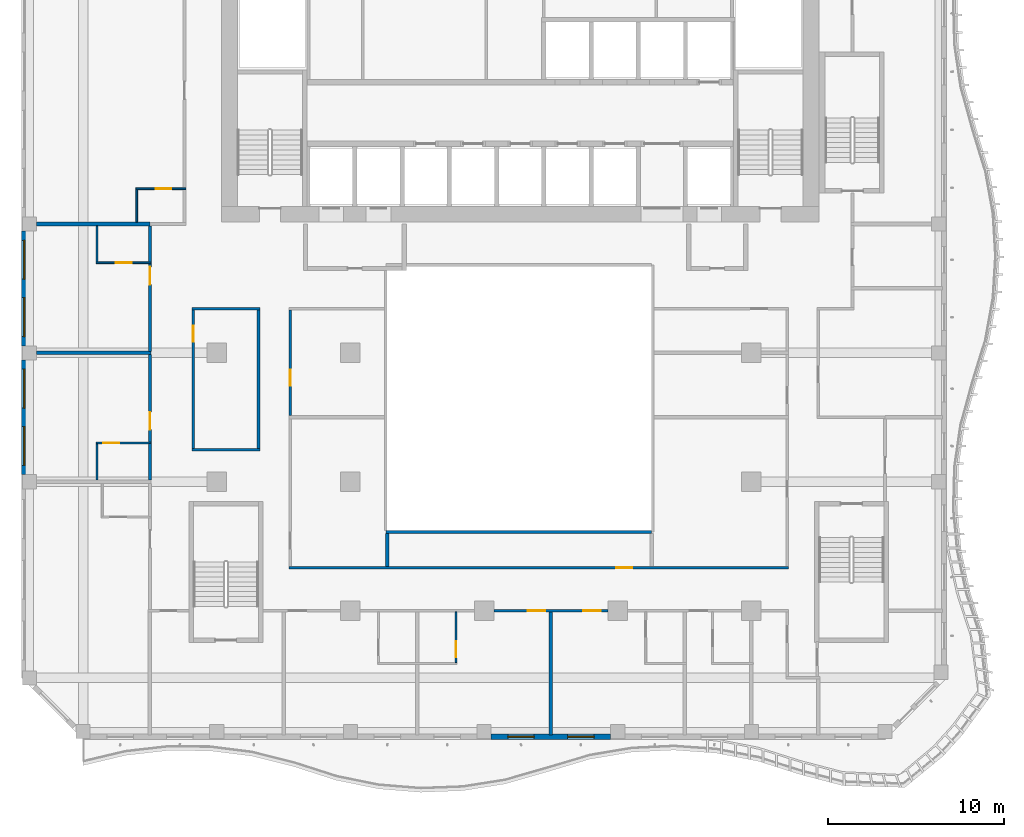
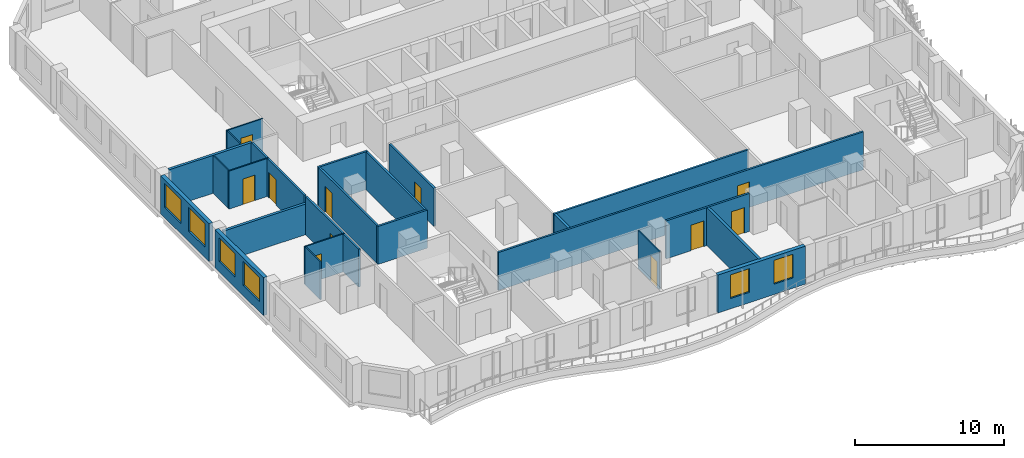
# One storey, part 3 of 22: 26 walls, 11 doors, 6 windows, 17 openings.
"""IFC4 building model written with IfcOpenShell, lengths in metres."""

from ifc_helpers import new_model, si_unit, direction, frame, frame_2d, origin, place, context, subcontext, project, spatial, rectangle, extrude, source, transform, mapped, material, layer, layer_set, type_object, element, fill, save


model = new_model("IFC4")

# Units and contexts
model_context = context("Model", 3, precision=1e-05, world=origin(), true_north=direction((0.0, 1.0)))
body_context = subcontext(model_context, "Body", "Model", "MODEL_VIEW")
ifc_project = project(units=[si_unit("LENGTHUNIT", "METRE"), si_unit("AREAUNIT", "SQUARE_METRE"), si_unit("VOLUMEUNIT", "CUBIC_METRE"), si_unit("PLANEANGLEUNIT", "RADIAN"), si_unit("MASSUNIT", "GRAM", prefix="KILO")], contexts=[model_context])

# Site, building, storey
site_placement = place(None, origin())
site = spatial("IfcSite", under=ifc_project, at=site_placement, CompositionType="ELEMENT")
building_placement = place(site_placement, origin())
building = spatial("IfcBuilding", under=site, at=building_placement, Name="Kilnfold Tower and Market Hall", CompositionType="ELEMENT")
storey_placement = place(building_placement, frame((0.0, 0.0, 154.10009765625)))
storey = spatial("IfcBuildingStorey", under=building, at=storey_placement, Name="L35", CompositionType="ELEMENT", Elevation=154.10009765625)

# Wall
ifc_material_1 = material(Name="Fire-resisting glazed screen")
ifc_layer_1 = layer(ifc_material_1, 0.14990234375)
ifc_layer_set_1 = layer_set([ifc_layer_1], Name="Fire-resisting glazed screen")
wall_type_1 = type_object("IfcWallType", Name="WALL ATRIUM 150", PredefinedType="PARTITIONING", material=ifc_layer_set_1)
wall_1_placement = place(storey_placement, frame((8.5, -9.47509765625, 0.0), z_axis=(0.0, 0.0, 1.0), x_axis=(-1.0, 0.0, 0.0)))
element("IfcWall", 1, at=wall_1_placement, inside=storey, type_object=wall_type_1, Name="Partition LY23.107", PredefinedType="PARTITIONING", context=body_context, shape_type="SweptSolid", body=[
    extrude(rectangle(XDim=15.074951171875, YDim=0.14990234375, at=frame_2d((7.53759765625, 0.0))), origin(), (0.0, 0.0, 1.0), 3.119873046875),
])

# Wall, openings, doors
ifc_material_2 = material(Name="Gypsum board on steel studs", Category="steel")
ifc_layer_2 = layer(ifc_material_2, 0.14990234375)
ifc_layer_set_2 = layer_set([ifc_layer_2], Name="Gypsum board on steel studs")
wall_type_2 = type_object("IfcWallType", Name="WALL CORRIDOR 150", PredefinedType="PARTITIONING", material=ifc_layer_set_2)
wall_2_placement = place(storey_placement, frame((-0.449951171875, -13.93798828125, 0.0), z_axis=(0.0, 0.0, 1.0), x_axis=(1.0, 0.0, 0.0)))
wall_2 = element("IfcWall", 2, at=wall_2_placement, inside=storey, type_object=wall_type_2, Name="Partition LY23.4", PredefinedType="PARTITIONING", context=body_context, shape_type="SweptSolid", body=[
    extrude(rectangle(XDim=6.48291015625, YDim=0.14990234375, at=frame_2d((3.241455078125, 0.0))), origin(), (0.0, 0.0, 1.0), 3.119873046875),
])
opening_1_placement = place(wall_2_placement, frame((1.919921875, 0.0, 0.0)))
opening_1 = element("IfcOpeningElement", 3, at=opening_1_placement, cuts=wall_2, Name="Opening D1", PredefinedType="OPENING", context=body_context, shape_type="SweptSolid", body=[
    extrude(rectangle(XDim=1.0, YDim=2.10009765625, at=frame_2d((0.5, 1.050048828125))), frame((0.0, 0.0849609375, 0.0), z_axis=(0.0, -1.0, 0.0), x_axis=(1.0, 0.0, 0.0)), (0.0, 0.0, 1.0), 0.169921875),
])
opening_2_placement = place(wall_2_placement, frame((5.0810546875, 0.0, 0.0)))
opening_2 = element("IfcOpeningElement", 4, at=opening_2_placement, cuts=wall_2, Name="Opening D1", PredefinedType="OPENING", context=body_context, shape_type="SweptSolid", body=[
    extrude(rectangle(XDim=1.0, YDim=2.10009765625, at=frame_2d((0.5, 1.050048828125))), frame((0.0, 0.0849609375, 0.0), z_axis=(0.0, -1.0, 0.0), x_axis=(1.0, 0.0, 0.0)), (0.0, 0.0, 1.0), 0.169921875),
])
ifc_material_3 = material(Name="Timber veneer door leaf in steel frame", Category="steel")
door_type_1 = type_object("IfcDoorType", Name="DOOR ENTRY 1000 X2100", OperationType="NOTDEFINED", PredefinedType="DOOR", material=ifc_material_3)
door_1_placement = place(opening_1_placement, origin())
door_1 = element("IfcDoor", 5, at=door_1_placement, inside=storey, type_object=door_type_1, Name="Door D1", OperationType="SINGLE_SWING_RIGHT", OverallHeight=2.10009765625, OverallWidth=1.0, PredefinedType="DOOR", context=body_context, shape_type="SweptSolid", body=[
    extrude(rectangle(XDim=1.0, YDim=2.10009765625, at=frame_2d((0.5, 1.050048828125))), frame((0.0, 0.02490234375, 0.0), z_axis=(0.0, -1.0, 0.0), x_axis=(1.0, 0.0, 0.0)), (0.0, 0.0, 1.0), 0.050048828125),
])
fill(opening_1, door_1)
door_2_placement = place(opening_2_placement, origin())
door_2 = element("IfcDoor", 6, at=door_2_placement, inside=storey, type_object=door_type_1, Name="Door D1", OperationType="SINGLE_SWING_RIGHT", OverallHeight=2.10009765625, OverallWidth=1.0, PredefinedType="DOOR", context=body_context, shape_type="SweptSolid", body=[
    extrude(rectangle(XDim=1.0, YDim=2.10009765625, at=frame_2d((0.5, 1.050048828125))), frame((0.0, 0.02490234375, 0.0), z_axis=(0.0, -1.0, 0.0), x_axis=(1.0, 0.0, 0.0)), (0.0, 0.0, 1.0), 0.050048828125),
])
fill(opening_2, door_2)

# Wall, opening, door
wall_3_placement = place(storey_placement, frame((-19.958984375, -4.385009765625, 0.0), z_axis=(0.0, 0.0, 1.0), x_axis=(0.0, 1.0, 0.0)))
wall_3 = element("IfcWall", 7, at=wall_3_placement, inside=storey, type_object=wall_type_2, Name="Partition LY23.12", PredefinedType="PARTITIONING", context=body_context, shape_type="SweptSolid", body=[
    extrude(rectangle(XDim=4.98291015625, YDim=0.14990234375, at=frame_2d((2.491455078125, 0.0))), origin(), (0.0, 0.0, 1.0), 3.119873046875),
])
opening_3_placement = place(wall_3_placement, frame((0.7119140625, 0.0, 0.0)))
opening_3 = element("IfcOpeningElement", 8, at=opening_3_placement, cuts=wall_3, Name="Opening D1", PredefinedType="OPENING", context=body_context, shape_type="SweptSolid", body=[
    extrude(rectangle(XDim=1.0, YDim=2.10009765625, at=frame_2d((0.5, 1.050048828125))), frame((0.0, 0.0849609375, 0.0), z_axis=(0.0, -1.0, 0.0), x_axis=(1.0, 0.0, 0.0)), (0.0, 0.0, 1.0), 0.169921875),
])
door_3_placement = place(opening_3_placement, origin())
door_3 = element("IfcDoor", 9, at=door_3_placement, inside=storey, type_object=door_type_1, Name="Door D1", OperationType="SINGLE_SWING_LEFT", OverallHeight=2.10009765625, OverallWidth=1.0, PredefinedType="DOOR", context=body_context, shape_type="SweptSolid", body=[
    extrude(rectangle(XDim=1.0, YDim=2.10009765625, at=frame_2d((0.5, 1.050048828125))), frame((0.0, 0.02490234375, 0.0), z_axis=(0.0, -1.0, 0.0), x_axis=(1.0, 0.0, 0.0)), (0.0, 0.0, 1.0), 0.050048828125),
])
fill(opening_3, door_3)

# Wall
wall_4_placement = place(storey_placement, frame((-19.958984375, -6.534912109375, 0.0), z_axis=(0.0, 0.0, 1.0), x_axis=(0.0, 1.0, 0.0)))
element("IfcWall", 10, at=wall_4_placement, inside=storey, type_object=wall_type_2, Name="Partition LY23.13", PredefinedType="PARTITIONING", context=body_context, shape_type="SweptSolid", body=[
    extrude(rectangle(XDim=2.06982421875, YDim=0.14990234375, at=frame_2d((1.034912109375, 0.0))), origin(), (0.0, 0.0, 1.0), 3.119873046875),
])

# Wall, opening, door
wall_5_placement = place(storey_placement, frame((-19.958984375, 0.778076171875, 0.0), z_axis=(0.0, 0.0, 1.0), x_axis=(0.0, 1.0, 0.0)))
wall_5 = element("IfcWall", 11, at=wall_5_placement, inside=storey, type_object=wall_type_2, Name="Partition LY23.14", PredefinedType="PARTITIONING", context=body_context, shape_type="SweptSolid", body=[
    extrude(rectangle(XDim=4.98193359375, YDim=0.14990234375, at=frame_2d((2.490966796875, 0.0))), origin(), (0.0, 0.0, 1.0), 3.119873046875),
])
opening_4_placement = place(wall_5_placement, frame((3.781982421875, 0.0, 0.0)))
opening_4 = element("IfcOpeningElement", 12, at=opening_4_placement, cuts=wall_5, Name="Opening D1", PredefinedType="OPENING", context=body_context, shape_type="SweptSolid", body=[
    extrude(rectangle(XDim=1.0, YDim=2.10009765625, at=frame_2d((0.5, 1.050048828125))), frame((0.0, 0.0849609375, 0.0), z_axis=(0.0, -1.0, 0.0), x_axis=(1.0, 0.0, 0.0)), (0.0, 0.0, 1.0), 0.169921875),
])
door_4_placement = place(opening_4_placement, origin())
door_4 = element("IfcDoor", 13, at=door_4_placement, inside=storey, type_object=door_type_1, Name="Door D1", OperationType="SINGLE_SWING_LEFT", OverallHeight=2.10009765625, OverallWidth=1.0, PredefinedType="DOOR", context=body_context, shape_type="SweptSolid", body=[
    extrude(rectangle(XDim=1.0, YDim=2.10009765625, at=frame_2d((0.5, 1.050048828125))), frame((0.0, 0.02490234375, 0.0), z_axis=(0.0, -1.0, 0.0), x_axis=(1.0, 0.0, 0.0)), (0.0, 0.0, 1.0), 0.050048828125),
])
fill(opening_4, door_4)

# Wall
wall_6_placement = place(storey_placement, frame((-19.958984375, 5.840087890625, 0.0), z_axis=(0.0, 0.0, 1.0), x_axis=(0.0, 1.0, 0.0)))
element("IfcWall", 14, at=wall_6_placement, inside=storey, type_object=wall_type_2, Name="Partition LY23.15", PredefinedType="PARTITIONING", context=body_context, shape_type="SweptSolid", body=[
    extrude(rectangle(XDim=2.059814453125, YDim=0.14990234375, at=frame_2d((1.02978515625, 0.0))), origin(), (0.0, 0.0, 1.0), 3.119873046875),
])

# Wall, opening, door
wall_7_placement = place(storey_placement, frame((-12.074951171875, -11.5, 0.0), z_axis=(0.0, 0.0, 1.0), x_axis=(1.0, 0.0, 0.0)))
wall_7 = element("IfcWall", 15, at=wall_7_placement, inside=storey, type_object=wall_type_2, Name="Partition LY23.33", PredefinedType="PARTITIONING", context=body_context, shape_type="SweptSolid", body=[
    extrude(rectangle(XDim=28.349853515625, YDim=0.14990234375, at=frame_2d((14.1748046875, 0.0))), origin(), (0.0, 0.0, 1.0), 3.119873046875),
])
opening_5_placement = place(wall_7_placement, frame((18.583984375, 0.0, 0.0)))
opening_5 = element("IfcOpeningElement", 16, at=opening_5_placement, cuts=wall_7, Name="Opening D2", PredefinedType="OPENING", context=body_context, shape_type="SweptSolid", body=[
    extrude(rectangle(XDim=0.89990234375, YDim=2.10009765625, at=frame_2d((0.449951171875, 1.050048828125))), frame((0.0, 0.0849609375, 0.0), z_axis=(0.0, -1.0, 0.0), x_axis=(1.0, 0.0, 0.0)), (0.0, 0.0, 1.0), 0.169921875),
])
ifc_material_4 = material(Name="Timber veneer door leaf in steel frame", Category="steel")
door_type_2 = type_object("IfcDoorType", Name="DOOR ROOM 900 X2100", OperationType="NOTDEFINED", PredefinedType="DOOR", material=ifc_material_4)
door_5_placement = place(opening_5_placement, origin())
door_5 = element("IfcDoor", 17, at=door_5_placement, inside=storey, type_object=door_type_2, Name="Door D2", OperationType="SINGLE_SWING_RIGHT", OverallHeight=2.10009765625, OverallWidth=0.89990234375, PredefinedType="DOOR", context=body_context, shape_type="SweptSolid", body=[
    extrude(rectangle(XDim=0.89990234375, YDim=2.10009765625, at=frame_2d((0.449951171875, 1.050048828125))), frame((0.0, 0.02490234375, 0.0), z_axis=(0.0, -1.0, 0.0), x_axis=(1.0, 0.0, 0.0)), (0.0, 0.0, 1.0), 0.050048828125),
])
fill(opening_5, door_5)

wall_8_placement = place(storey_placement, frame((-12.0, -2.87890625, 0.0), z_axis=(0.0, 0.0, 1.0), x_axis=(0.0, 1.0, 0.0)))
wall_8 = element("IfcWall", 18, at=wall_8_placement, inside=storey, type_object=wall_type_2, Name="Partition LY23.35", PredefinedType="PARTITIONING", context=body_context, shape_type="SweptSolid", body=[
    extrude(rectangle(XDim=6.00390625, YDim=0.14990234375, at=frame_2d((3.001953125, 0.0))), origin(), (0.0, 0.0, 1.0), 3.119873046875),
])
opening_6_placement = place(wall_8_placement, frame((1.700927734375, 0.0, 0.0)))
opening_6 = element("IfcOpeningElement", 19, at=opening_6_placement, cuts=wall_8, Name="Opening D2", PredefinedType="OPENING", context=body_context, shape_type="SweptSolid", body=[
    extrude(rectangle(XDim=0.89990234375, YDim=2.10009765625, at=frame_2d((0.449951171875, 1.050048828125))), frame((0.0, 0.0849609375, 0.0), z_axis=(0.0, -1.0, 0.0), x_axis=(1.0, 0.0, 0.0)), (0.0, 0.0, 1.0), 0.169921875),
])
door_6_placement = place(opening_6_placement, origin())
door_6 = element("IfcDoor", 20, at=door_6_placement, inside=storey, type_object=door_type_2, Name="Door D2", OperationType="SINGLE_SWING_RIGHT", OverallHeight=2.10009765625, OverallWidth=0.89990234375, PredefinedType="DOOR", context=body_context, shape_type="SweptSolid", body=[
    extrude(rectangle(XDim=0.89990234375, YDim=2.10009765625, at=frame_2d((0.449951171875, 1.050048828125))), frame((0.0, 0.02490234375, 0.0), z_axis=(0.0, -1.0, 0.0), x_axis=(1.0, 0.0, 0.0)), (0.0, 0.0, 1.0), 0.050048828125),
])
fill(opening_6, door_6)

# Wall
wall_9_placement = place(storey_placement, frame((-17.574951171875, 3.199951171875, 0.0), z_axis=(0.0, 0.0, 1.0), x_axis=(1.0, 0.0, 0.0)))
element("IfcWall", 21, at=wall_9_placement, inside=storey, type_object=wall_type_2, Name="Partition LY23.36", PredefinedType="PARTITIONING", context=body_context, shape_type="SweptSolid", body=[
    extrude(rectangle(XDim=3.849853515625, YDim=0.14990234375, at=frame_2d((1.9248046875, 0.0))), origin(), (0.0, 0.0, 1.0), 3.119873046875),
])

# Wall, opening, door
wall_10_placement = place(storey_placement, frame((-17.5, -4.72509765625, 0.0), z_axis=(0.0, 0.0, 1.0), x_axis=(0.0, 1.0, 0.0)))
wall_10 = element("IfcWall", 22, at=wall_10_placement, inside=storey, type_object=wall_type_2, Name="Partition LY23.37", PredefinedType="PARTITIONING", context=body_context, shape_type="SweptSolid", body=[
    extrude(rectangle(XDim=7.85009765625, YDim=0.14990234375, at=frame_2d((3.925048828125, 0.0))), origin(), (0.0, 0.0, 1.0), 3.119873046875),
])
opening_7_placement = place(wall_10_placement, frame((6.044921875, 0.0, 0.0)))
opening_7 = element("IfcOpeningElement", 23, at=opening_7_placement, cuts=wall_10, Name="Opening D2", PredefinedType="OPENING", context=body_context, shape_type="SweptSolid", body=[
    extrude(rectangle(XDim=0.89990234375, YDim=2.10009765625, at=frame_2d((0.449951171875, 1.050048828125))), frame((0.0, 0.0849609375, 0.0), z_axis=(0.0, -1.0, 0.0), x_axis=(1.0, 0.0, 0.0)), (0.0, 0.0, 1.0), 0.169921875),
])
door_7_placement = place(opening_7_placement, origin())
door_7 = element("IfcDoor", 24, at=door_7_placement, inside=storey, type_object=door_type_2, Name="Door D2", OperationType="SINGLE_SWING_LEFT", OverallHeight=2.10009765625, OverallWidth=0.89990234375, PredefinedType="DOOR", context=body_context, shape_type="SweptSolid", body=[
    extrude(rectangle(XDim=0.89990234375, YDim=2.10009765625, at=frame_2d((0.449951171875, 1.050048828125))), frame((0.0, 0.02490234375, 0.0), z_axis=(0.0, -1.0, 0.0), x_axis=(1.0, 0.0, 0.0)), (0.0, 0.0, 1.0), 0.050048828125),
])
fill(opening_7, door_7)

# Walls
wall_11_placement = place(storey_placement, frame((-13.72509765625, -4.800048828125, 0.0), z_axis=(0.0, 0.0, 1.0), x_axis=(-1.0, 0.0, 0.0)))
element("IfcWall", 25, at=wall_11_placement, inside=storey, type_object=wall_type_2, Name="Partition LY23.38", PredefinedType="PARTITIONING", context=body_context, shape_type="SweptSolid", body=[
    extrude(rectangle(XDim=3.849853515625, YDim=0.14990234375, at=frame_2d((1.9248046875, 0.0))), origin(), (0.0, 0.0, 1.0), 3.119873046875),
])
wall_12_placement = place(storey_placement, frame((-13.800048828125, 3.125, 0.0), z_axis=(0.0, 0.0, 1.0), x_axis=(0.0, -1.0, 0.0)))
element("IfcWall", 26, at=wall_12_placement, inside=storey, type_object=wall_type_2, Name="Partition LY23.39", PredefinedType="PARTITIONING", context=body_context, shape_type="SweptSolid", body=[
    extrude(rectangle(XDim=7.85009765625, YDim=0.14990234375, at=frame_2d((3.925048828125, 0.0))), origin(), (0.0, 0.0, 1.0), 3.119873046875),
])

# Wall, opening, door
ifc_material_5 = material(Name="Gypsum board on steel studs", Category="steel")
ifc_layer_3 = layer(ifc_material_5, 0.10009765625)
ifc_layer_set_3 = layer_set([ifc_layer_3], Name="Gypsum board on steel studs")
wall_type_3 = type_object("IfcWallType", Name="WALL PARTITION 100", PredefinedType="PARTITIONING", material=ifc_layer_set_3)
wall_13_placement = place(storey_placement, frame((-2.592041015625, -14.014892578125, 0.0), z_axis=(0.0, 0.0, 1.0), x_axis=(0.0, -1.0, 0.0)))
wall_13 = element("IfcWall", 27, at=wall_13_placement, inside=storey, type_object=wall_type_3, Name="Partition LY23.50", PredefinedType="PARTITIONING", context=body_context, shape_type="SweptSolid", body=[
    extrude(rectangle(XDim=2.875, YDim=0.10009765625, at=frame_2d((1.4375, 0.0))), origin(), (0.0, 0.0, 1.0), 3.119873046875),
])
opening_8_placement = place(wall_13_placement, frame((1.669921875, 0.0, 0.0)))
opening_8 = element("IfcOpeningElement", 28, at=opening_8_placement, cuts=wall_13, Name="Opening D3", PredefinedType="OPENING", context=body_context, shape_type="SweptSolid", body=[
    extrude(rectangle(XDim=0.89990234375, YDim=2.10009765625, at=frame_2d((0.449951171875, 1.050048828125))), frame((0.0, 0.06005859375, 0.0), z_axis=(0.0, -1.0, 0.0), x_axis=(1.0, 0.0, 0.0)), (0.0, 0.0, 1.0), 0.1201171875),
])
ifc_material_6 = material(Name="Timber veneer door leaf in steel frame", Category="steel")
door_type_3 = type_object("IfcDoorType", Name="DOOR WC 900 X2100", OperationType="NOTDEFINED", PredefinedType="DOOR", material=ifc_material_6)
door_8_placement = place(opening_8_placement, origin())
door_8 = element("IfcDoor", 29, at=door_8_placement, inside=storey, type_object=door_type_3, Name="Door D3", OperationType="SINGLE_SWING_LEFT", OverallHeight=2.10009765625, OverallWidth=0.89990234375, PredefinedType="DOOR", context=body_context, shape_type="SweptSolid", body=[
    extrude(rectangle(XDim=0.89990234375, YDim=2.10009765625, at=frame_2d((0.449951171875, 1.050048828125))), frame((0.0, 0.02490234375, 0.0), z_axis=(0.0, -1.0, 0.0), x_axis=(1.0, 0.0, 0.0)), (0.0, 0.0, 1.0), 0.050048828125),
])
fill(opening_8, door_8)

# Wall
wall_14_placement = place(storey_placement, frame((-22.9609375, -6.52490234375, 0.0), z_axis=(0.0, 0.0, 1.0), x_axis=(0.0, 1.0, 0.0)))
element("IfcWall", 30, at=wall_14_placement, inside=storey, type_object=wall_type_3, Name="Partition LY23.65", PredefinedType="PARTITIONING", context=body_context, shape_type="SweptSolid", body=[
    extrude(rectangle(XDim=2.0498046875, YDim=0.10009765625, at=frame_2d((1.02490234375, 0.0))), origin(), (0.0, 0.0, 1.0), 3.119873046875),
])

# Wall, opening, door
wall_15_placement = place(storey_placement, frame((-23.010986328125, -4.425048828125, 0.0), z_axis=(0.0, 0.0, 1.0), x_axis=(1.0, 0.0, 0.0)))
wall_15 = element("IfcWall", 31, at=wall_15_placement, inside=storey, type_object=wall_type_3, Name="Partition LY23.66", PredefinedType="PARTITIONING", context=body_context, shape_type="SweptSolid", body=[
    extrude(rectangle(XDim=3.125, YDim=0.10009765625, at=frame_2d((1.5625, 0.0))), origin(), (0.0, 0.0, 1.0), 3.119873046875),
])
opening_9_placement = place(wall_15_placement, frame((0.403076171875, 0.0, 0.0)))
opening_9 = element("IfcOpeningElement", 32, at=opening_9_placement, cuts=wall_15, Name="Opening D3", PredefinedType="OPENING", context=body_context, shape_type="SweptSolid", body=[
    extrude(rectangle(XDim=0.89990234375, YDim=2.10009765625, at=frame_2d((0.449951171875, 1.050048828125))), frame((0.0, 0.06005859375, 0.0), z_axis=(0.0, -1.0, 0.0), x_axis=(1.0, 0.0, 0.0)), (0.0, 0.0, 1.0), 0.1201171875),
])
door_9_placement = place(opening_9_placement, origin())
door_9 = element("IfcDoor", 33, at=door_9_placement, inside=storey, type_object=door_type_3, Name="Door D3", OperationType="SINGLE_SWING_LEFT", OverallHeight=2.10009765625, OverallWidth=0.89990234375, PredefinedType="DOOR", context=body_context, shape_type="SweptSolid", body=[
    extrude(rectangle(XDim=0.89990234375, YDim=2.10009765625, at=frame_2d((0.449951171875, 1.050048828125))), frame((0.0, 0.02490234375, 0.0), z_axis=(0.0, -1.0, 0.0), x_axis=(1.0, 0.0, 0.0)), (0.0, 0.0, 1.0), 0.050048828125),
])
fill(opening_9, door_9)

# Wall
wall_16_placement = place(storey_placement, frame((-22.9609375, 5.85009765625, 0.0), z_axis=(0.0, 0.0, 1.0), x_axis=(0.0, 1.0, 0.0)))
element("IfcWall", 34, at=wall_16_placement, inside=storey, type_object=wall_type_3, Name="Partition LY23.68", PredefinedType="PARTITIONING", context=body_context, shape_type="SweptSolid", body=[
    extrude(rectangle(XDim=2.0498046875, YDim=0.10009765625, at=frame_2d((1.02490234375, 0.0))), origin(), (0.0, 0.0, 1.0), 3.119873046875),
])

# Wall, opening, door
wall_17_placement = place(storey_placement, frame((-19.885986328125, 5.800048828125, 0.0), z_axis=(0.0, 0.0, 1.0), x_axis=(-1.0, 0.0, 0.0)))
wall_17 = element("IfcWall", 35, at=wall_17_placement, inside=storey, type_object=wall_type_3, Name="Partition LY23.69", PredefinedType="PARTITIONING", context=body_context, shape_type="SweptSolid", body=[
    extrude(rectangle(XDim=3.125, YDim=0.10009765625, at=frame_2d((1.5625, 0.0))), origin(), (0.0, 0.0, 1.0), 3.119873046875),
])
opening_10_placement = place(wall_17_placement, frame((1.113037109375, 0.0, 0.0)))
opening_10 = element("IfcOpeningElement", 36, at=opening_10_placement, cuts=wall_17, Name="Opening D3", PredefinedType="OPENING", context=body_context, shape_type="SweptSolid", body=[
    extrude(rectangle(XDim=0.89990234375, YDim=2.10009765625, at=frame_2d((0.449951171875, 1.050048828125))), frame((0.0, 0.06005859375, 0.0), z_axis=(0.0, -1.0, 0.0), x_axis=(1.0, 0.0, 0.0)), (0.0, 0.0, 1.0), 0.1201171875),
])
door_10_placement = place(opening_10_placement, origin())
door_10 = element("IfcDoor", 37, at=door_10_placement, inside=storey, type_object=door_type_3, Name="Door D3", OperationType="SINGLE_SWING_RIGHT", OverallHeight=2.10009765625, OverallWidth=0.89990234375, PredefinedType="DOOR", context=body_context, shape_type="SweptSolid", body=[
    extrude(rectangle(XDim=0.89990234375, YDim=2.10009765625, at=frame_2d((0.449951171875, 1.050048828125))), frame((0.0, 0.02490234375, 0.0), z_axis=(0.0, -1.0, 0.0), x_axis=(1.0, 0.0, 0.0)), (0.0, 0.0, 1.0), 0.050048828125),
])
fill(opening_10, door_10)

wall_18_placement = place(storey_placement, frame((-20.751953125, 10.0, 0.0), z_axis=(0.0, 0.0, 1.0), x_axis=(1.0, 0.0, 0.0)))
wall_18 = element("IfcWall", 38, at=wall_18_placement, inside=storey, type_object=wall_type_3, Name="Partition LY23.71", PredefinedType="PARTITIONING", context=body_context, shape_type="SweptSolid", body=[
    extrude(rectangle(XDim=2.824951171875, YDim=0.10009765625, at=frame_2d((1.41259765625, 0.0))), origin(), (0.0, 0.0, 1.0), 3.119873046875),
])
opening_11_placement = place(wall_18_placement, frame((1.114990234375, 0.0, 0.0)))
opening_11 = element("IfcOpeningElement", 39, at=opening_11_placement, cuts=wall_18, Name="Opening D3", PredefinedType="OPENING", context=body_context, shape_type="SweptSolid", body=[
    extrude(rectangle(XDim=0.89990234375, YDim=2.10009765625, at=frame_2d((0.449951171875, 1.050048828125))), frame((0.0, 0.06005859375, 0.0), z_axis=(0.0, -1.0, 0.0), x_axis=(1.0, 0.0, 0.0)), (0.0, 0.0, 1.0), 0.1201171875),
])
door_11_placement = place(opening_11_placement, origin())
door_11 = element("IfcDoor", 40, at=door_11_placement, inside=storey, type_object=door_type_3, Name="Door D3", OperationType="SINGLE_SWING_RIGHT", OverallHeight=2.10009765625, OverallWidth=0.89990234375, PredefinedType="DOOR", context=body_context, shape_type="SweptSolid", body=[
    extrude(rectangle(XDim=0.89990234375, YDim=2.10009765625, at=frame_2d((0.449951171875, 1.050048828125))), frame((0.0, 0.02490234375, 0.0), z_axis=(0.0, -1.0, 0.0), x_axis=(1.0, 0.0, 0.0)), (0.0, 0.0, 1.0), 0.050048828125),
])
fill(opening_11, door_11)

# Walls
wall_19_placement = place(storey_placement, frame((-20.701904296875, 8.10009765625, 0.0), z_axis=(0.0, 0.0, 1.0), x_axis=(0.0, 1.0, 0.0)))
element("IfcWall", 41, at=wall_19_placement, inside=storey, type_object=wall_type_3, Name="Partition LY23.72", PredefinedType="PARTITIONING", context=body_context, shape_type="SweptSolid", body=[
    extrude(rectangle(XDim=1.849853515625, YDim=0.10009765625, at=frame_2d((0.9248046875, 0.0))), origin(), (0.0, 0.0, 1.0), 3.119873046875),
])
ifc_material_7 = material(Name="Gypsum board on steel studs", Category="steel")
ifc_layer_4 = layer(ifc_material_7, 0.199951171875)
ifc_layer_set_4 = layer_set([ifc_layer_4], Name="Gypsum board on steel studs")
wall_type_4 = type_object("IfcWallType", Name="WALL PARTY 200", PredefinedType="PARTITIONING", material=ifc_layer_set_4)
wall_20_placement = place(storey_placement, frame((2.7919921875, -21.0, 0.0), z_axis=(0.0, 0.0, 1.0), x_axis=(0.0, 1.0, 0.0)))
element("IfcWall", 42, at=wall_20_placement, inside=storey, type_object=wall_type_4, Name="Partition LY23.51", PredefinedType="PARTITIONING", context=body_context, shape_type="SweptSolid", body=[
    extrude(rectangle(XDim=6.985107421875, YDim=0.199951171875, at=frame_2d((3.49267578125, 0.0))), origin(), (0.0, 0.0, 1.0), 3.119873046875),
])
wall_21_placement = place(storey_placement, frame((-26.39990234375, 0.68798828125, 0.0), z_axis=(0.0, 0.0, 1.0), x_axis=(1.0, 0.0, 0.0)))
element("IfcWall", 43, at=wall_21_placement, inside=storey, type_object=wall_type_4, Name="Partition LY23.67", PredefinedType="PARTITIONING", context=body_context, shape_type="SweptSolid", body=[
    extrude(rectangle(XDim=6.513916015625, YDim=0.199951171875, at=frame_2d((3.2568359375, 0.0))), origin(), (0.0, 0.0, 1.0), 2.52001953125),
])
wall_22_placement = place(storey_placement, frame((-26.39990234375, 8.0, 0.0), z_axis=(0.0, 0.0, 1.0), x_axis=(1.0, 0.0, 0.0)))
element("IfcWall", 44, at=wall_22_placement, inside=storey, type_object=wall_type_4, Name="Partition LY23.70", PredefinedType="PARTITIONING", context=body_context, shape_type="SweptSolid", body=[
    extrude(rectangle(XDim=6.43896484375, YDim=0.199951171875, at=frame_2d((3.219482421875, 0.0))), origin(), (0.0, 0.0, 1.0), 3.119873046875),
])
wall_23_placement = place(storey_placement, frame((-6.5, -11.423095703125, 0.0), z_axis=(0.0, 0.0, 1.0), x_axis=(0.0, 1.0, 0.0)))
element("IfcWall", 45, at=wall_23_placement, inside=storey, type_object=wall_type_4, Name="Partition LY23.102", PredefinedType="PARTITIONING", context=body_context, shape_type="SweptSolid", body=[
    extrude(rectangle(XDim=1.873046875, YDim=0.199951171875, at=frame_2d((0.9365234375, 0.0))), origin(), (0.0, 0.0, 1.0), 3.119873046875),
])

# Wall, openings, windows
ifc_material_8 = material(Name="Precast concrete C50/60", Category="concrete")
ifc_layer_5 = layer(ifc_material_8, 0.300048828125)
ifc_layer_set_5 = layer_set([ifc_layer_5], Name="Precast concrete C50/60")
wall_type_5 = type_object("IfcWallType", Name="PRECAST WALL 300", PredefinedType="SOLIDWALL", material=ifc_layer_set_5)
shared_shape_1 = source(origin(), body_context, "Body", "SweptSolid", [
    extrude(rectangle(XDim=6.783447265625, YDim=0.300048828125, at=frame_2d((3.3916015625, 0.0))), origin(), (0.0, 0.0, 1.0), 3.119873046875),
])
wall_24_placement = place(storey_placement, frame((-0.60009765625, -21.10009765625, 0.0), z_axis=(0.0, 0.0, 1.0), x_axis=(1.0, 0.0, 0.0)))
wall_24 = element("IfcWall", 46, at=wall_24_placement, inside=storey, type_object=wall_type_5, Name="External wall L35 S", PredefinedType="SOLIDWALL", context=body_context, shape_type="MappedRepresentation", body=[
    mapped(shared_shape_1, transform((0.0, 0.0, 0.0))),
])
opening_12_placement = place(wall_24_placement, frame((0.94580078125, 0.0, 0.85009765625)))
opening_12 = element("IfcOpeningElement", 47, at=opening_12_placement, cuts=wall_24, Name="Opening W4", PredefinedType="OPENING", context=body_context, shape_type="SweptSolid", body=[
    extrude(rectangle(XDim=1.5, YDim=1.949951171875, at=frame_2d((0.75, 0.97509765625))), frame((0.0, 0.16015625, 0.0), z_axis=(0.0, -1.0, 0.0), x_axis=(1.0, 0.0, 0.0)), (0.0, 0.0, 1.0), 0.320068359375),
])
opening_13_placement = place(wall_24_placement, frame((4.33740234375, 0.0, 0.85009765625)))
opening_13 = element("IfcOpeningElement", 48, at=opening_13_placement, cuts=wall_24, Name="Opening W4", PredefinedType="OPENING", context=body_context, shape_type="SweptSolid", body=[
    extrude(rectangle(XDim=1.5, YDim=1.949951171875, at=frame_2d((0.75, 0.97509765625))), frame((0.0, 0.16015625, 0.0), z_axis=(0.0, -1.0, 0.0), x_axis=(1.0, 0.0, 0.0)), (0.0, 0.0, 1.0), 0.320068359375),
])
ifc_material_9 = material(Name="Aluminium frame and double glazing", Category="aluminium")
window_type_1 = type_object("IfcWindowType", Name="WINDOW W4 1500X1950", PartitioningType="SINGLE_PANEL", PredefinedType="WINDOW", material=ifc_material_9)
window_1_placement = place(opening_12_placement, origin())
window_1 = element("IfcWindow", 49, at=window_1_placement, inside=storey, type_object=window_type_1, Name="Window W4 L35 S-1", OverallHeight=1.949951171875, OverallWidth=1.5, PartitioningType="SINGLE_PANEL", PredefinedType="WINDOW", context=body_context, shape_type="SweptSolid", body=[
    extrude(rectangle(XDim=1.5, YDim=1.949951171875, at=frame_2d((0.75, 0.97509765625))), frame((0.0, 0.030029296875, 0.0), z_axis=(0.0, -1.0, 0.0), x_axis=(1.0, 0.0, 0.0)), (0.0, 0.0, 1.0), 0.06005859375),
])
fill(opening_12, window_1)
window_2_placement = place(opening_13_placement, origin())
window_2 = element("IfcWindow", 50, at=window_2_placement, inside=storey, type_object=window_type_1, Name="Window W4 L35 S-2", OverallHeight=1.949951171875, OverallWidth=1.5, PartitioningType="SINGLE_PANEL", PredefinedType="WINDOW", context=body_context, shape_type="SweptSolid", body=[
    extrude(rectangle(XDim=1.5, YDim=1.949951171875, at=frame_2d((0.75, 0.97509765625))), frame((0.0, 0.030029296875, 0.0), z_axis=(0.0, -1.0, 0.0), x_axis=(1.0, 0.0, 0.0)), (0.0, 0.0, 1.0), 0.06005859375),
])
fill(opening_13, window_2)

shared_shape_2 = source(origin(), body_context, "Body", "SweptSolid", [
    extrude(rectangle(XDim=6.5126953125, YDim=0.300048828125, at=frame_2d((3.25634765625, 0.0))), origin(), (0.0, 0.0, 1.0), 3.119873046875),
])
wall_25_placement = place(storey_placement, frame((-27.10009765625, 7.60009765625, 0.0), z_axis=(0.0, 0.0, 1.0), x_axis=(0.0, -1.0, 0.0)))
wall_25 = element("IfcWall", 51, at=wall_25_placement, inside=storey, type_object=wall_type_5, Name="External wall L35 W", PredefinedType="SOLIDWALL", context=body_context, shape_type="MappedRepresentation", body=[
    mapped(shared_shape_2, transform((0.0, 0.0, 0.0))),
])
opening_14_placement = place(wall_25_placement, frame((0.528076171875, 0.0, 0.85009765625)))
opening_14 = element("IfcOpeningElement", 52, at=opening_14_placement, cuts=wall_25, Name="Opening W2", PredefinedType="OPENING", context=body_context, shape_type="SweptSolid", body=[
    extrude(rectangle(XDim=2.199951171875, YDim=1.949951171875, at=frame_2d((1.10009765625, 0.97509765625))), frame((0.0, 0.16015625, 0.0), z_axis=(0.0, -1.0, 0.0), x_axis=(1.0, 0.0, 0.0)), (0.0, 0.0, 1.0), 0.320068359375),
])
opening_15_placement = place(wall_25_placement, frame((3.784423828125, 0.0, 0.85009765625)))
opening_15 = element("IfcOpeningElement", 53, at=opening_15_placement, cuts=wall_25, Name="Opening W2", PredefinedType="OPENING", context=body_context, shape_type="SweptSolid", body=[
    extrude(rectangle(XDim=2.199951171875, YDim=1.949951171875, at=frame_2d((1.10009765625, 0.97509765625))), frame((0.0, 0.16015625, 0.0), z_axis=(0.0, -1.0, 0.0), x_axis=(1.0, 0.0, 0.0)), (0.0, 0.0, 1.0), 0.320068359375),
])
ifc_material_10 = material(Name="Aluminium frame and double glazing", Category="aluminium")
window_type_2 = type_object("IfcWindowType", Name="WINDOW W2 2200X1950", PartitioningType="SINGLE_PANEL", PredefinedType="WINDOW", material=ifc_material_10)
window_3_placement = place(opening_14_placement, origin())
window_3 = element("IfcWindow", 54, at=window_3_placement, inside=storey, type_object=window_type_2, Name="Window W2 L35 W-1", OverallHeight=1.949951171875, OverallWidth=2.199951171875, PartitioningType="SINGLE_PANEL", PredefinedType="WINDOW", context=body_context, shape_type="SweptSolid", body=[
    extrude(rectangle(XDim=2.199951171875, YDim=1.949951171875, at=frame_2d((1.10009765625, 0.97509765625))), frame((0.0, 0.030029296875, 0.0), z_axis=(0.0, -1.0, 0.0), x_axis=(1.0, 0.0, 0.0)), (0.0, 0.0, 1.0), 0.06005859375),
])
fill(opening_14, window_3)
window_4_placement = place(opening_15_placement, origin())
window_4 = element("IfcWindow", 55, at=window_4_placement, inside=storey, type_object=window_type_2, Name="Window W2 L35 W-2", OverallHeight=1.949951171875, OverallWidth=2.199951171875, PartitioningType="SINGLE_PANEL", PredefinedType="WINDOW", context=body_context, shape_type="SweptSolid", body=[
    extrude(rectangle(XDim=2.199951171875, YDim=1.949951171875, at=frame_2d((1.10009765625, 0.97509765625))), frame((0.0, 0.030029296875, 0.0), z_axis=(0.0, -1.0, 0.0), x_axis=(1.0, 0.0, 0.0)), (0.0, 0.0, 1.0), 0.06005859375),
])
fill(opening_15, window_4)

wall_26_placement = place(storey_placement, frame((-27.10009765625, 0.28759765625, 0.0), z_axis=(0.0, 0.0, 1.0), x_axis=(0.0, -1.0, 0.0)))
wall_26 = element("IfcWall", 56, at=wall_26_placement, inside=storey, type_object=wall_type_5, Name="External wall L35 W", PredefinedType="SOLIDWALL", context=body_context, shape_type="MappedRepresentation", body=[
    mapped(shared_shape_2, transform((0.0, 0.0, 0.0))),
])
opening_16_placement = place(wall_26_placement, frame((0.5283203125, 0.0, 0.85009765625)))
opening_16 = element("IfcOpeningElement", 57, at=opening_16_placement, cuts=wall_26, Name="Opening W2", PredefinedType="OPENING", context=body_context, shape_type="SweptSolid", body=[
    extrude(rectangle(XDim=2.199951171875, YDim=1.949951171875, at=frame_2d((1.10009765625, 0.97509765625))), frame((0.0, 0.16015625, 0.0), z_axis=(0.0, -1.0, 0.0), x_axis=(1.0, 0.0, 0.0)), (0.0, 0.0, 1.0), 0.320068359375),
])
opening_17_placement = place(wall_26_placement, frame((3.784423828125, 0.0, 0.85009765625)))
opening_17 = element("IfcOpeningElement", 58, at=opening_17_placement, cuts=wall_26, Name="Opening W2", PredefinedType="OPENING", context=body_context, shape_type="SweptSolid", body=[
    extrude(rectangle(XDim=2.199951171875, YDim=1.949951171875, at=frame_2d((1.10009765625, 0.97509765625))), frame((0.0, 0.16015625, 0.0), z_axis=(0.0, -1.0, 0.0), x_axis=(1.0, 0.0, 0.0)), (0.0, 0.0, 1.0), 0.320068359375),
])
window_5_placement = place(opening_16_placement, origin())
window_5 = element("IfcWindow", 59, at=window_5_placement, inside=storey, type_object=window_type_2, Name="Window W2 L35 W-1", OverallHeight=1.949951171875, OverallWidth=2.199951171875, PartitioningType="SINGLE_PANEL", PredefinedType="WINDOW", context=body_context, shape_type="SweptSolid", body=[
    extrude(rectangle(XDim=2.199951171875, YDim=1.949951171875, at=frame_2d((1.10009765625, 0.97509765625))), frame((0.0, 0.030029296875, 0.0), z_axis=(0.0, -1.0, 0.0), x_axis=(1.0, 0.0, 0.0)), (0.0, 0.0, 1.0), 0.06005859375),
])
fill(opening_16, window_5)
window_6_placement = place(opening_17_placement, origin())
window_6 = element("IfcWindow", 60, at=window_6_placement, inside=storey, type_object=window_type_2, Name="Window W2 L35 W-2", OverallHeight=1.949951171875, OverallWidth=2.199951171875, PartitioningType="SINGLE_PANEL", PredefinedType="WINDOW", context=body_context, shape_type="SweptSolid", body=[
    extrude(rectangle(XDim=2.199951171875, YDim=1.949951171875, at=frame_2d((1.10009765625, 0.97509765625))), frame((0.0, 0.030029296875, 0.0), z_axis=(0.0, -1.0, 0.0), x_axis=(1.0, 0.0, 0.0)), (0.0, 0.0, 1.0), 0.06005859375),
])
fill(opening_17, window_6)

save(model, "model.ifc")
